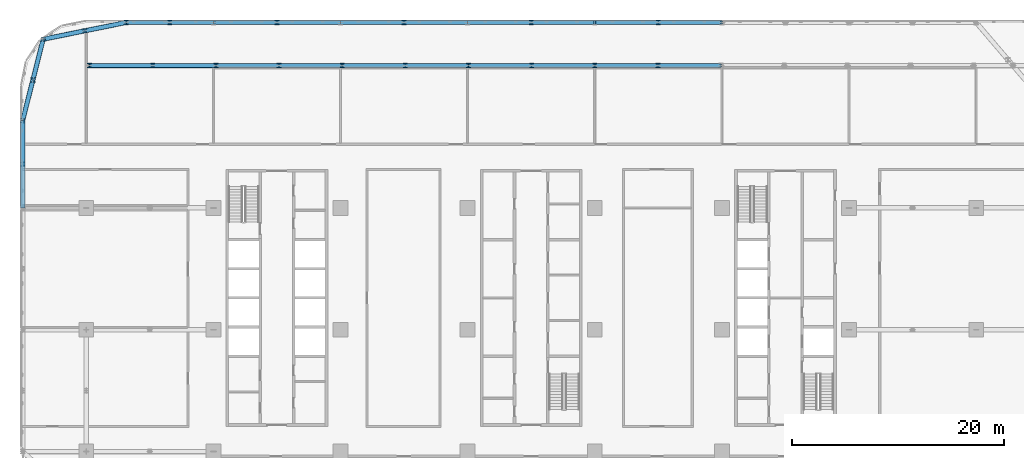
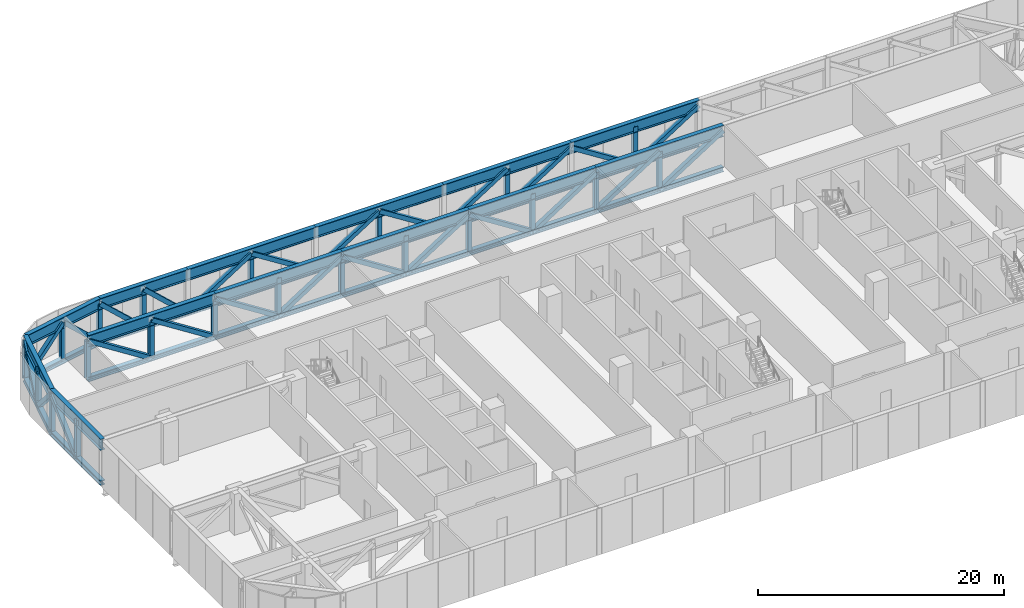
# One storey, part 5 of 26: 72 members.
"""IFC4 building model written with IfcOpenShell, lengths in metres."""

from ifc_helpers import new_model, si_unit, direction, frame, origin, origin_2d, place, context, subcontext, project, spatial, hollow_rectangle, i_section, extrude, material, material_profile, profile_set, type_object, element, save


model = new_model("IFC4")

# Units and contexts
model_context = context("Model", 3, precision=1e-05, world=origin(), true_north=direction((0.0, 1.0)))
body_context = subcontext(model_context, "Body", "Model", "MODEL_VIEW")
ifc_project = project(units=[si_unit("LENGTHUNIT", "METRE"), si_unit("AREAUNIT", "SQUARE_METRE"), si_unit("VOLUMEUNIT", "CUBIC_METRE"), si_unit("PLANEANGLEUNIT", "RADIAN"), si_unit("MASSUNIT", "GRAM", prefix="KILO")], contexts=[model_context])

# Site, building, storey
site_placement = place(None, origin())
site = spatial("IfcSite", under=ifc_project, at=site_placement, CompositionType="ELEMENT")
building_placement = place(site_placement, origin())
building = spatial("IfcBuilding", under=site, at=building_placement, Name="Mahtab Terrace Research Tower", CompositionType="ELEMENT")
storey_placement = place(building_placement, frame((0.0, 0.0, 117.60009765625)))
storey = spatial("IfcBuildingStorey", under=building, at=storey_placement, Name="L27", CompositionType="ELEMENT", Elevation=117.60009765625)

# Members
ifc_material_1 = material(Name="Steel ASTM A500 Gr C", Category="steel")
ifc_material_profile_1 = material_profile(ifc_material_1, hollow_rectangle(XDim=0.406494140625, YDim=0.406494140625, WallThickness=0.015869140625, at=origin_2d()), Name="HSS16X16X5/8")
ifc_profile_set_1 = profile_set([ifc_material_profile_1], Name="Steel ASTM A500 Gr C")
member_type_1 = type_object("IfcMemberType", Name="HSS 16x16x5/8 brace TD161658", PredefinedType="BRACE", material=ifc_profile_set_1)
member_1_placement = place(storey_placement, frame((-48.0, 15.615966796875, -0.308837890625), z_axis=(0.0, 0.733771123457, 0.679396745931), x_axis=(-1.0, 0.0, 0.0)))
element("IfcMember", 1, at=member_1_placement, inside=storey, type_object=member_type_1, Name="Transfer truss T3 diagonal 010", PredefinedType="BRACE", context=body_context, shape_type="SweptSolid", body=[
    extrude(hollow_rectangle(XDim=0.406494140625, YDim=0.406494140625, WallThickness=0.015869140625, at=origin_2d()), origin(), (0.0, 0.0, 1.0), 5.60791015625),
])
member_2_placement = place(storey_placement, frame((-47.031005859375, 23.573974609375, -0.308837890625), z_axis=(-0.176255698603, -0.699027702622, 0.693032610833), x_axis=(0.969651347484, -0.244491849194, 0.0)))
element("IfcMember", 2, at=member_2_placement, inside=storey, type_object=member_type_1, Name="Transfer truss T3 diagonal 011", PredefinedType="BRACE", context=body_context, shape_type="SweptSolid", body=[
    extrude(hollow_rectangle(XDim=0.406494140625, YDim=0.406494140625, WallThickness=0.015869140625, at=origin_2d()), origin(), (0.0, 0.0, 1.0), 5.49755859375),
])
member_3_placement = place(storey_placement, frame((-47.031005859375, 23.573974609375, -0.308837890625), z_axis=(0.176277585556, 0.698936851575, 0.693118669739), x_axis=(-0.969636613245, 0.24455027756, 0.0)))
element("IfcMember", 3, at=member_3_placement, inside=storey, type_object=member_type_1, Name="Transfer truss T3 diagonal 012", PredefinedType="BRACE", context=body_context, shape_type="SweptSolid", body=[
    extrude(hollow_rectangle(XDim=0.406494140625, YDim=0.406494140625, WallThickness=0.015869140625, at=origin_2d()), origin(), (0.0, 0.0, 1.0), 5.4970703125),
])
member_4_placement = place(storey_placement, frame((-46.06201171875, 27.416015625, -0.308837890625), z_axis=(0.709235395563, 0.143474658469, 0.690217484607), x_axis=(-0.198278421898, 0.980145737842, 0.0)))
element("IfcMember", 4, at=member_4_placement, inside=storey, type_object=member_type_1, Name="Transfer truss T3 diagonal 014", PredefinedType="BRACE", context=body_context, shape_type="SweptSolid", body=[
    extrude(hollow_rectangle(XDim=0.406494140625, YDim=0.406494140625, WallThickness=0.015869140625, at=origin_2d()), origin(), (0.0, 0.0, 1.0), 5.52001953125),
])
member_5_placement = place(storey_placement, frame((-35.721923828125, 24.927001953125, -0.308837890625), z_axis=(-0.842548339198, 0.0, 0.538620734947), x_axis=(0.0, -1.0, 0.0)))
element("IfcMember", 5, at=member_5_placement, inside=storey, type_object=member_type_1, Name="Transfer truss T3 diagonal 022", PredefinedType="BRACE", context=body_context, shape_type="SweptSolid", body=[
    extrude(hollow_rectangle(XDim=0.406494140625, YDim=0.406494140625, WallThickness=0.015869140625, at=origin_2d()), origin(), (0.0, 0.0, 1.0), 7.07373046875),
])
member_6_placement = place(storey_placement, frame((-38.23095703125, 29.0, -0.308837890625), z_axis=(-0.709323301059, -0.143456657646, 0.690130887551), x_axis=(0.198230919145, -0.980155346205, 0.0)))
element("IfcMember", 6, at=member_6_placement, inside=storey, type_object=member_type_1, Name="Transfer truss T3 diagonal 023", PredefinedType="BRACE", context=body_context, shape_type="SweptSolid", body=[
    extrude(hollow_rectangle(XDim=0.406494140625, YDim=0.406494140625, WallThickness=0.015869140625, at=origin_2d()), origin(), (0.0, 0.0, 1.0), 5.520751953125),
])
member_7_placement = place(storey_placement, frame((-29.761962890625, 24.927001953125, -0.308837890625), z_axis=(-0.842548339198, 0.0, 0.538620734947), x_axis=(0.0, -1.0, 0.0)))
element("IfcMember", 7, at=member_7_placement, inside=storey, type_object=member_type_1, Name="Transfer truss T3 diagonal 028", PredefinedType="BRACE", context=body_context, shape_type="SweptSolid", body=[
    extrude(hollow_rectangle(XDim=0.406494140625, YDim=0.406494140625, WallThickness=0.015869140625, at=origin_2d()), origin(), (0.0, 0.0, 1.0), 7.07373046875),
])
member_8_placement = place(storey_placement, frame((-34.114990234375, 29.0, -0.308837890625), z_axis=(-0.733851486345, 0.0, 0.679309941035), x_axis=(0.0, -1.0, 0.0)))
element("IfcMember", 8, at=member_8_placement, inside=storey, type_object=member_type_1, Name="Transfer truss T3 diagonal 029", PredefinedType="BRACE", context=body_context, shape_type="SweptSolid", body=[
    extrude(hollow_rectangle(XDim=0.406494140625, YDim=0.406494140625, WallThickness=0.015869140625, at=origin_2d()), origin(), (0.0, 0.0, 1.0), 5.608642578125),
])
member_9_placement = place(storey_placement, frame((-30.0, 29.0, -0.308837890625), z_axis=(-0.733771123457, 0.0, 0.679396745931), x_axis=(0.0, -1.0, 0.0)))
element("IfcMember", 9, at=member_9_placement, inside=storey, type_object=member_type_1, Name="Transfer truss T3 diagonal 031", PredefinedType="BRACE", context=body_context, shape_type="SweptSolid", body=[
    extrude(hollow_rectangle(XDim=0.406494140625, YDim=0.406494140625, WallThickness=0.015869140625, at=origin_2d()), origin(), (0.0, 0.0, 1.0), 5.60791015625),
])
member_10_placement = place(storey_placement, frame((-23.801025390625, 24.927001953125, -0.308837890625), z_axis=(-0.842588383601, 0.0, 0.538558089551), x_axis=(0.0, -1.0, 0.0)))
element("IfcMember", 10, at=member_10_placement, inside=storey, type_object=member_type_1, Name="Transfer truss T3 diagonal 032", PredefinedType="BRACE", context=body_context, shape_type="SweptSolid", body=[
    extrude(hollow_rectangle(XDim=0.406494140625, YDim=0.406494140625, WallThickness=0.015869140625, at=origin_2d()), origin(), (0.0, 0.0, 1.0), 7.074462890625),
])
member_11_placement = place(storey_placement, frame((-30.0, 29.0, -0.308837890625), z_axis=(0.844178766056, 0.0, 0.536061760379), x_axis=(0.0, 1.0, 0.0)))
element("IfcMember", 11, at=member_11_placement, inside=storey, type_object=member_type_1, Name="Transfer truss T3 diagonal 034", PredefinedType="BRACE", context=body_context, shape_type="SweptSolid", body=[
    extrude(hollow_rectangle(XDim=0.406494140625, YDim=0.406494140625, WallThickness=0.015869140625, at=origin_2d()), origin(), (0.0, 0.0, 1.0), 7.107421875),
])
member_12_placement = place(storey_placement, frame((-23.801025390625, 24.927001953125, -0.308837890625), z_axis=(0.842548339198, 0.0, 0.538620734947), x_axis=(0.0, 1.0, 0.0)))
element("IfcMember", 12, at=member_12_placement, inside=storey, type_object=member_type_1, Name="Transfer truss T3 diagonal 035", PredefinedType="BRACE", context=body_context, shape_type="SweptSolid", body=[
    extrude(hollow_rectangle(XDim=0.406494140625, YDim=0.406494140625, WallThickness=0.015869140625, at=origin_2d()), origin(), (0.0, 0.0, 1.0), 7.07373046875),
])
member_13_placement = place(storey_placement, frame((-18.0, 29.0, -0.308837890625), z_axis=(-0.844178766056, 0.0, 0.536061760379), x_axis=(0.0, -1.0, 0.0)))
element("IfcMember", 13, at=member_13_placement, inside=storey, type_object=member_type_1, Name="Transfer truss T3 diagonal 037", PredefinedType="BRACE", context=body_context, shape_type="SweptSolid", body=[
    extrude(hollow_rectangle(XDim=0.406494140625, YDim=0.406494140625, WallThickness=0.015869140625, at=origin_2d()), origin(), (0.0, 0.0, 1.0), 7.107421875),
])
member_14_placement = place(storey_placement, frame((-11.881103515625, 24.927001953125, -0.308837890625), z_axis=(-0.842548339198, 0.0, 0.538620734947), x_axis=(0.0, -1.0, 0.0)))
element("IfcMember", 14, at=member_14_placement, inside=storey, type_object=member_type_1, Name="Transfer truss T3 diagonal 038", PredefinedType="BRACE", context=body_context, shape_type="SweptSolid", body=[
    extrude(hollow_rectangle(XDim=0.406494140625, YDim=0.406494140625, WallThickness=0.015869140625, at=origin_2d()), origin(), (0.0, 0.0, 1.0), 7.07373046875),
])
member_15_placement = place(storey_placement, frame((-18.0, 29.0, -0.308837890625), z_axis=(0.844178766056, 0.0, 0.536061760379), x_axis=(0.0, 1.0, 0.0)))
element("IfcMember", 15, at=member_15_placement, inside=storey, type_object=member_type_1, Name="Transfer truss T3 diagonal 040", PredefinedType="BRACE", context=body_context, shape_type="SweptSolid", body=[
    extrude(hollow_rectangle(XDim=0.406494140625, YDim=0.406494140625, WallThickness=0.015869140625, at=origin_2d()), origin(), (0.0, 0.0, 1.0), 7.107421875),
])
member_16_placement = place(storey_placement, frame((-11.881103515625, 24.927001953125, -0.308837890625), z_axis=(0.842558351609, 0.0, 0.538605072511), x_axis=(0.0, 1.0, 0.0)))
element("IfcMember", 16, at=member_16_placement, inside=storey, type_object=member_type_1, Name="Transfer truss T3 diagonal 041", PredefinedType="BRACE", context=body_context, shape_type="SweptSolid", body=[
    extrude(hollow_rectangle(XDim=0.406494140625, YDim=0.406494140625, WallThickness=0.015869140625, at=origin_2d()), origin(), (0.0, 0.0, 1.0), 7.073974609375),
])
member_17_placement = place(storey_placement, frame((-6.0, 29.0, -0.308837890625), z_axis=(-0.844178766056, 0.0, 0.536061760379), x_axis=(0.0, -1.0, 0.0)))
element("IfcMember", 17, at=member_17_placement, inside=storey, type_object=member_type_1, Name="Transfer truss T3 diagonal 043", PredefinedType="BRACE", context=body_context, shape_type="SweptSolid", body=[
    extrude(hollow_rectangle(XDim=0.406494140625, YDim=0.406494140625, WallThickness=0.015869140625, at=origin_2d()), origin(), (0.0, 0.0, 1.0), 7.107421875),
])
member_18_placement = place(storey_placement, frame((0.0400390625, 24.927001953125, -0.308837890625), z_axis=(-0.842588383601, 0.0, 0.538558089551), x_axis=(0.0, -1.0, 0.0)))
element("IfcMember", 18, at=member_18_placement, inside=storey, type_object=member_type_1, Name="Transfer truss T3 diagonal 044", PredefinedType="BRACE", context=body_context, shape_type="SweptSolid", body=[
    extrude(hollow_rectangle(XDim=0.406494140625, YDim=0.406494140625, WallThickness=0.015869140625, at=origin_2d()), origin(), (0.0, 0.0, 1.0), 7.074462890625),
])
member_19_placement = place(storey_placement, frame((-6.0, 29.0, -0.308837890625), z_axis=(0.844178766056, 0.0, 0.536061760379), x_axis=(0.0, 1.0, 0.0)))
element("IfcMember", 19, at=member_19_placement, inside=storey, type_object=member_type_1, Name="Transfer truss T3 diagonal 046", PredefinedType="BRACE", context=body_context, shape_type="SweptSolid", body=[
    extrude(hollow_rectangle(XDim=0.406494140625, YDim=0.406494140625, WallThickness=0.015869140625, at=origin_2d()), origin(), (0.0, 0.0, 1.0), 7.107421875),
])
for number, where, z_axis, x_axis, name in (
    (20, (0.0400390625, 24.927001953125, -0.308837890625), (0.842548339198, 0.0, 0.538620734947), (0.0, 1.0, 0.0), "Transfer truss T3 diagonal 047"),
    (21, (6.0, 24.927001953125, -0.308837890625), (0.842548339198, 0.0, 0.538620734947), (0.0, 1.0, 0.0), "Transfer truss T3 diagonal 049"),
):
    element("IfcMember", number, at=place(storey_placement, frame(where, z_axis=z_axis, x_axis=x_axis)), inside=storey, type_object=member_type_1, Name=name, PredefinedType="BRACE", context=body_context, shape_type="SweptSolid", body=[
        extrude(hollow_rectangle(XDim=0.406494140625, YDim=0.406494140625, WallThickness=0.015869140625, at=origin_2d()), origin(), (0.0, 0.0, 1.0), 7.07373046875),
    ])
member_20_placement = place(storey_placement, frame((0.0, 29.0, -0.308837890625), z_axis=(0.844178766056, 0.0, 0.536061760379), x_axis=(0.0, 1.0, 0.0)))
element("IfcMember", 22, at=member_20_placement, inside=storey, type_object=member_type_1, Name="Transfer truss T3 diagonal 050", PredefinedType="BRACE", context=body_context, shape_type="SweptSolid", body=[
    extrude(hollow_rectangle(XDim=0.406494140625, YDim=0.406494140625, WallThickness=0.015869140625, at=origin_2d()), origin(), (0.0, 0.0, 1.0), 7.107421875),
])
member_21_placement = place(storey_placement, frame((11.9599609375, 24.927001953125, -0.308837890625), z_axis=(0.842588383601, 0.0, 0.538558089551), x_axis=(0.0, 1.0, 0.0)))
element("IfcMember", 23, at=member_21_placement, inside=storey, type_object=member_type_1, Name="Transfer truss T3 diagonal 051", PredefinedType="BRACE", context=body_context, shape_type="SweptSolid", body=[
    extrude(hollow_rectangle(XDim=0.406494140625, YDim=0.406494140625, WallThickness=0.015869140625, at=origin_2d()), origin(), (0.0, 0.0, 1.0), 7.074462890625),
])
for number, where, z_axis, x_axis, name in (
    (24, (12.0, 29.0, -0.308837890625), (-0.844178766056, 0.0, 0.536061760379), (0.0, -1.0, 0.0), "Transfer truss T3 diagonal 053"),
    (25, (12.0, 29.0, -0.308837890625), (0.844178766056, 0.0, 0.536061760379), (0.0, 1.0, 0.0), "Transfer truss T3 diagonal 056"),
):
    element("IfcMember", number, at=place(storey_placement, frame(where, z_axis=z_axis, x_axis=x_axis)), inside=storey, type_object=member_type_1, Name=name, PredefinedType="BRACE", context=body_context, shape_type="SweptSolid", body=[
        extrude(hollow_rectangle(XDim=0.406494140625, YDim=0.406494140625, WallThickness=0.015869140625, at=origin_2d()), origin(), (0.0, 0.0, 1.0), 7.107421875),
    ])
ifc_material_2 = material(Name="Steel ASTM A992 Gr 50", Category="steel")
ifc_material_profile_2 = material_profile(ifc_material_2, i_section(OverallWidth=0.398681640625, OverallDepth=0.393798828125, WebThickness=0.022705078125, FlangeThickness=0.03662109375, at=origin_2d()), Name="W14X193")
ifc_profile_set_2 = profile_set([ifc_material_profile_2], Name="Steel ASTM A992 Gr 50")
member_type_2 = type_object("IfcMemberType", Name="W14x193 post TP14193", PredefinedType="POST", material=ifc_profile_set_2)
for number, where, z_axis, x_axis, name in (
    (26, (-48.0, 15.6201171875, -0.308837890625), (0.0, 0.0, 1.0), (1.0, 0.0, 0.0), "Transfer truss T3 post 006"),
    (27, (-48.0, 19.72998046875, -0.308837890625), (0.0, 0.0, 1.0), (1.0, 0.0, 0.0), "Transfer truss T3 post 007"),
    (28, (-47.030029296875, 23.570068359375, -0.308837890625), (0.0, 0.0, 1.0), (1.0, 0.0, 0.0), "Transfer truss T3 post 008"),
    (29, (-46.06005859375, 27.419921875, -0.308837890625), (0.0, 0.0, 1.0), (1.0, 0.0, 0.0), "Transfer truss T3 post 009"),
    (30, (-42.14990234375, 28.2099609375, -0.308837890625), (0.0, 0.0, 1.0), (1.0, 0.0, 0.0), "Transfer truss T3 post 011"),
    (31, (-41.679931640625, 24.929931640625, -0.308837890625), (0.0, 0.0, 1.0), (1.0, 0.0, 0.0), "Transfer truss T3 post 017"),
    (32, (-38.22998046875, 29.0, -0.308837890625), (0.0, 0.0, 1.0), (1.0, 0.0, 0.0), "Transfer truss T3 post 018"),
    (33, (-35.719970703125, 24.929931640625, -0.308837890625), (0.0, 0.0, 1.0), (1.0, 0.0, 0.0), "Transfer truss T3 post 023"),
    (34, (-34.1201171875, 29.0, -0.308837890625), (0.0, 0.0, 1.0), (1.0, 0.0, 0.0), "Transfer truss T3 post 024"),
    (35, (-29.760009765625, 24.929931640625, -0.308837890625), (0.0, 0.0, 1.0), (1.0, 0.0, 0.0), "Transfer truss T3 post 030"),
    (36, (-24.0, 29.0, -0.308837890625), (0.0, 0.0, 1.0), (1.0, 0.0, 0.0), "Transfer truss T3 post 032"),
    (37, (-23.800048828125, 24.929931640625, -0.308837890625), (0.0, 0.0, 1.0), (1.0, 0.0, 0.0), "Transfer truss T3 post 033"),
    (38, (-17.840087890625, 24.929931640625, -0.308837890625), (0.0, 0.0, 1.0), (1.0, 0.0, 0.0), "Transfer truss T3 post 036"),
    (39, (-12.0, 29.0, -0.308837890625), (0.0, 0.0, 1.0), (1.0, 0.0, 0.0), "Transfer truss T3 post 038"),
    (40, (-11.8798828125, 24.929931640625, -0.308837890625), (0.0, 0.0, 1.0), (1.0, 0.0, 0.0), "Transfer truss T3 post 039"),
    (41, (-5.919921875, 24.929931640625, -0.308837890625), (0.0, 0.0, 1.0), (1.0, 0.0, 0.0), "Transfer truss T3 post 042"),
    (42, (0.0, 29.0, -0.308837890625), (0.0, 0.0, 1.0), (1.0, 0.0, 0.0), "Transfer truss T3 post 044"),
    (43, (0.0400390625, 24.929931640625, -0.308837890625), (0.0, 0.0, 1.0), (1.0, 0.0, 0.0), "Transfer truss T3 post 045"),
    (44, (6.0, 24.929931640625, -0.308837890625), (0.0, 0.0, 1.0), (1.0, 0.0, 0.0), "Transfer truss T3 post 047"),
    (45, (11.9599609375, 24.929931640625, -0.308837890625), (0.0, 0.0, 1.0), (1.0, 0.0, 0.0), "Transfer truss T3 post 049"),
    (46, (12.0, 29.0, -0.308837890625), (0.0, 0.0, 1.0), (1.0, 0.0, 0.0), "Transfer truss T3 post 051"),
):
    element("IfcMember", number, at=place(storey_placement, frame(where, z_axis=z_axis, x_axis=x_axis)), inside=storey, type_object=member_type_2, Name=name, PredefinedType="POST", context=body_context, shape_type="SweptSolid", body=[
        extrude(i_section(OverallWidth=0.398681640625, OverallDepth=0.393798828125, WebThickness=0.022705078125, FlangeThickness=0.03662109375, at=origin_2d()), origin(), (0.0, 0.0, 1.0), 3.81005859375),
    ])
ifc_material_profile_3 = material_profile(ifc_material_2, i_section(OverallWidth=0.4267578125, OverallDepth=0.482666015625, WebThickness=0.05126953125, FlangeThickness=0.08154296875, at=origin_2d()), Name="W14X455")
ifc_profile_set_3 = profile_set([ifc_material_profile_3], Name="Steel ASTM A992 Gr 50")
member_type_3 = type_object("IfcMemberType", Name="W14x455 chord TC14455", PredefinedType="CHORD", material=ifc_profile_set_3)
member_22_placement = place(storey_placement, frame((-48.0, 19.73095703125, -0.308837890625), z_axis=(0.0, -1.0, 0.0), x_axis=(1.0, 0.0, 0.0)))
element("IfcMember", 47, at=member_22_placement, inside=storey, type_object=member_type_3, Name="Transfer truss T3 bottom chord 004", PredefinedType="CHORD", context=body_context, shape_type="SweptSolid", body=[
    extrude(i_section(OverallWidth=0.4267578125, OverallDepth=0.482666015625, WebThickness=0.05126953125, FlangeThickness=0.08154296875, at=origin_2d()), origin(), (0.0, 0.0, 1.0), 8.23095703125),
])
member_23_placement = place(storey_placement, frame((-46.06201171875, 27.416015625, -0.308837890625), z_axis=(-0.244521059998, -0.969643981685, 0.0), x_axis=(0.969643981685, -0.244521059998, 0.0)))
element("IfcMember", 48, at=member_23_placement, inside=storey, type_object=member_type_3, Name="Transfer truss T3 bottom chord 011", PredefinedType="CHORD", context=body_context, shape_type="SweptSolid", body=[
    extrude(i_section(OverallWidth=0.4267578125, OverallDepth=0.482666015625, WebThickness=0.05126953125, FlangeThickness=0.08154296875, at=origin_2d()), origin(), (0.0, 0.0, 1.0), 7.925537109375),
])
member_24_placement = place(storey_placement, frame((-38.23095703125, 29.0, -0.308837890625), z_axis=(-0.980150542887, -0.198254667734, 0.0), x_axis=(0.198254667734, -0.980150542887, 0.0)))
element("IfcMember", 49, at=member_24_placement, inside=storey, type_object=member_type_3, Name="Transfer truss T3 bottom chord 012", PredefinedType="CHORD", context=body_context, shape_type="SweptSolid", body=[
    extrude(i_section(OverallWidth=0.4267578125, OverallDepth=0.482666015625, WebThickness=0.05126953125, FlangeThickness=0.08154296875, at=origin_2d()), origin(), (0.0, 0.0, 1.0), 7.98974609375),
])
member_25_placement = place(storey_placement, frame((-41.681884765625, 24.927001953125, -0.308837890625), z_axis=(1.0, 0.0, 0.0), x_axis=(0.0, 1.0, 0.0)))
element("IfcMember", 50, at=member_25_placement, inside=storey, type_object=member_type_3, Name="Transfer truss T3 bottom chord 022", PredefinedType="CHORD", context=body_context, shape_type="SweptSolid", body=[
    extrude(i_section(OverallWidth=0.4267578125, OverallDepth=0.482666015625, WebThickness=0.05126953125, FlangeThickness=0.08154296875, at=origin_2d()), origin(), (0.0, 0.0, 1.0), 11.919921875),
])
member_26_placement = place(storey_placement, frame((-29.761962890625, 24.927001953125, -0.308837890625), z_axis=(1.0, 0.0, 0.0), x_axis=(0.0, 1.0, 0.0)))
element("IfcMember", 51, at=member_26_placement, inside=storey, type_object=member_type_3, Name="Transfer truss T3 bottom chord 023", PredefinedType="CHORD", context=body_context, shape_type="SweptSolid", body=[
    extrude(i_section(OverallWidth=0.4267578125, OverallDepth=0.482666015625, WebThickness=0.05126953125, FlangeThickness=0.08154296875, at=origin_2d()), origin(), (0.0, 0.0, 1.0), 11.9208984375),
])
member_27_placement = place(storey_placement, frame((-17.841064453125, 24.927001953125, -0.308837890625), z_axis=(1.0, 0.0, 0.0), x_axis=(0.0, 1.0, 0.0)))
element("IfcMember", 52, at=member_27_placement, inside=storey, type_object=member_type_3, Name="Transfer truss T3 bottom chord 024", PredefinedType="CHORD", context=body_context, shape_type="SweptSolid", body=[
    extrude(i_section(OverallWidth=0.4267578125, OverallDepth=0.482666015625, WebThickness=0.05126953125, FlangeThickness=0.08154296875, at=origin_2d()), origin(), (0.0, 0.0, 1.0), 11.920166015625),
])
for number, where, z_axis, x_axis, name in (
    (53, (-5.9208984375, 24.927001953125, -0.308837890625), (1.0, 0.0, 0.0), (0.0, 1.0, 0.0), "Transfer truss T3 bottom chord 025"),
    (54, (6.0, 24.927001953125, -0.308837890625), (1.0, 0.0, 0.0), (0.0, 1.0, 0.0), "Transfer truss T3 bottom chord 026"),
):
    element("IfcMember", number, at=place(storey_placement, frame(where, z_axis=z_axis, x_axis=x_axis)), inside=storey, type_object=member_type_3, Name=name, PredefinedType="CHORD", context=body_context, shape_type="SweptSolid", body=[
        extrude(i_section(OverallWidth=0.4267578125, OverallDepth=0.482666015625, WebThickness=0.05126953125, FlangeThickness=0.08154296875, at=origin_2d()), origin(), (0.0, 0.0, 1.0), 11.9208984375),
    ])
for number, where, z_axis, x_axis, name in (
    (55, (18.0, 29.0, -0.308837890625), (-1.0, 0.0, 0.0), (0.0, -1.0, 0.0), "Transfer truss T3 bottom chord 032"),
    (56, (6.0, 29.0, -0.308837890625), (-1.0, 0.0, 0.0), (0.0, -1.0, 0.0), "Transfer truss T3 bottom chord 033"),
    (57, (-6.0, 29.0, -0.308837890625), (-1.0, 0.0, 0.0), (0.0, -1.0, 0.0), "Transfer truss T3 bottom chord 034"),
    (58, (-18.0, 29.0, -0.308837890625), (-1.0, 0.0, 0.0), (0.0, -1.0, 0.0), "Transfer truss T3 bottom chord 035"),
):
    element("IfcMember", number, at=place(storey_placement, frame(where, z_axis=z_axis, x_axis=x_axis)), inside=storey, type_object=member_type_3, Name=name, PredefinedType="CHORD", context=body_context, shape_type="SweptSolid", body=[
        extrude(i_section(OverallWidth=0.4267578125, OverallDepth=0.482666015625, WebThickness=0.05126953125, FlangeThickness=0.08154296875, at=origin_2d()), origin(), (0.0, 0.0, 1.0), 12.0),
    ])
member_28_placement = place(storey_placement, frame((-30.0, 29.0, -0.308837890625), z_axis=(-1.0, 0.0, 0.0), x_axis=(0.0, -1.0, 0.0)))
element("IfcMember", 59, at=member_28_placement, inside=storey, type_object=member_type_3, Name="Transfer truss T3 bottom chord 036", PredefinedType="CHORD", context=body_context, shape_type="SweptSolid", body=[
    extrude(i_section(OverallWidth=0.4267578125, OverallDepth=0.482666015625, WebThickness=0.05126953125, FlangeThickness=0.08154296875, at=origin_2d()), origin(), (0.0, 0.0, 1.0), 8.23095703125),
])
ifc_material_profile_4 = material_profile(ifc_material_2, i_section(OverallWidth=0.40380859375, OverallDepth=1.11767578125, WebThickness=0.026123046875, FlangeThickness=0.044921875, at=origin_2d()), Name="W44X335")
ifc_profile_set_4 = profile_set([ifc_material_profile_4], Name="Steel ASTM A992 Gr 50")
member_type_4 = type_object("IfcMemberType", Name="W44x335 chord TT44335", PredefinedType="CHORD", material=ifc_profile_set_4)
member_29_placement = place(storey_placement, frame((-48.0, 19.73095703125, 3.501220703125), z_axis=(0.0, -1.0, 0.0), x_axis=(1.0, 0.0, 0.0)))
element("IfcMember", 60, at=member_29_placement, inside=storey, type_object=member_type_4, Name="Transfer truss T3 top chord 004", PredefinedType="CHORD", context=body_context, shape_type="SweptSolid", body=[
    extrude(i_section(OverallWidth=0.40380859375, OverallDepth=1.11767578125, WebThickness=0.026123046875, FlangeThickness=0.044921875, at=origin_2d()), origin(), (0.0, 0.0, 1.0), 8.23095703125),
])
member_30_placement = place(storey_placement, frame((-46.06201171875, 27.416015625, 3.501220703125), z_axis=(-0.244521059998, -0.969643981685, 0.0), x_axis=(0.969643981685, -0.244521059998, 0.0)))
element("IfcMember", 61, at=member_30_placement, inside=storey, type_object=member_type_4, Name="Transfer truss T3 top chord 011", PredefinedType="CHORD", context=body_context, shape_type="SweptSolid", body=[
    extrude(i_section(OverallWidth=0.40380859375, OverallDepth=1.11767578125, WebThickness=0.026123046875, FlangeThickness=0.044921875, at=origin_2d()), origin(), (0.0, 0.0, 1.0), 7.925537109375),
])
member_31_placement = place(storey_placement, frame((-38.23095703125, 29.0, 3.501220703125), z_axis=(-0.980150542887, -0.198254667734, 0.0), x_axis=(0.198254667734, -0.980150542887, 0.0)))
element("IfcMember", 62, at=member_31_placement, inside=storey, type_object=member_type_4, Name="Transfer truss T3 top chord 012", PredefinedType="CHORD", context=body_context, shape_type="SweptSolid", body=[
    extrude(i_section(OverallWidth=0.40380859375, OverallDepth=1.11767578125, WebThickness=0.026123046875, FlangeThickness=0.044921875, at=origin_2d()), origin(), (0.0, 0.0, 1.0), 7.98974609375),
])
member_32_placement = place(storey_placement, frame((-41.681884765625, 24.927001953125, 3.501220703125), z_axis=(1.0, 0.0, 0.0), x_axis=(0.0, 1.0, 0.0)))
element("IfcMember", 63, at=member_32_placement, inside=storey, type_object=member_type_4, Name="Transfer truss T3 top chord 022", PredefinedType="CHORD", context=body_context, shape_type="SweptSolid", body=[
    extrude(i_section(OverallWidth=0.40380859375, OverallDepth=1.11767578125, WebThickness=0.026123046875, FlangeThickness=0.044921875, at=origin_2d()), origin(), (0.0, 0.0, 1.0), 11.919921875),
])
member_33_placement = place(storey_placement, frame((-29.761962890625, 24.927001953125, 3.501220703125), z_axis=(1.0, 0.0, 0.0), x_axis=(0.0, 1.0, 0.0)))
element("IfcMember", 64, at=member_33_placement, inside=storey, type_object=member_type_4, Name="Transfer truss T3 top chord 023", PredefinedType="CHORD", context=body_context, shape_type="SweptSolid", body=[
    extrude(i_section(OverallWidth=0.40380859375, OverallDepth=1.11767578125, WebThickness=0.026123046875, FlangeThickness=0.044921875, at=origin_2d()), origin(), (0.0, 0.0, 1.0), 11.9208984375),
])
member_34_placement = place(storey_placement, frame((-17.841064453125, 24.927001953125, 3.501220703125), z_axis=(1.0, 0.0, 0.0), x_axis=(0.0, 1.0, 0.0)))
element("IfcMember", 65, at=member_34_placement, inside=storey, type_object=member_type_4, Name="Transfer truss T3 top chord 024", PredefinedType="CHORD", context=body_context, shape_type="SweptSolid", body=[
    extrude(i_section(OverallWidth=0.40380859375, OverallDepth=1.11767578125, WebThickness=0.026123046875, FlangeThickness=0.044921875, at=origin_2d()), origin(), (0.0, 0.0, 1.0), 11.920166015625),
])
for number, where, z_axis, x_axis, name in (
    (66, (-5.9208984375, 24.927001953125, 3.501220703125), (1.0, 0.0, 0.0), (0.0, 1.0, 0.0), "Transfer truss T3 top chord 025"),
    (67, (6.0, 24.927001953125, 3.501220703125), (1.0, 0.0, 0.0), (0.0, 1.0, 0.0), "Transfer truss T3 top chord 026"),
):
    element("IfcMember", number, at=place(storey_placement, frame(where, z_axis=z_axis, x_axis=x_axis)), inside=storey, type_object=member_type_4, Name=name, PredefinedType="CHORD", context=body_context, shape_type="SweptSolid", body=[
        extrude(i_section(OverallWidth=0.40380859375, OverallDepth=1.11767578125, WebThickness=0.026123046875, FlangeThickness=0.044921875, at=origin_2d()), origin(), (0.0, 0.0, 1.0), 11.9208984375),
    ])
for number, where, z_axis, x_axis, name in (
    (68, (18.0, 29.0, 3.501220703125), (-1.0, 0.0, 0.0), (0.0, -1.0, 0.0), "Transfer truss T3 top chord 032"),
    (69, (6.0, 29.0, 3.501220703125), (-1.0, 0.0, 0.0), (0.0, -1.0, 0.0), "Transfer truss T3 top chord 033"),
    (70, (-6.0, 29.0, 3.501220703125), (-1.0, 0.0, 0.0), (0.0, -1.0, 0.0), "Transfer truss T3 top chord 034"),
    (71, (-18.0, 29.0, 3.501220703125), (-1.0, 0.0, 0.0), (0.0, -1.0, 0.0), "Transfer truss T3 top chord 035"),
):
    element("IfcMember", number, at=place(storey_placement, frame(where, z_axis=z_axis, x_axis=x_axis)), inside=storey, type_object=member_type_4, Name=name, PredefinedType="CHORD", context=body_context, shape_type="SweptSolid", body=[
        extrude(i_section(OverallWidth=0.40380859375, OverallDepth=1.11767578125, WebThickness=0.026123046875, FlangeThickness=0.044921875, at=origin_2d()), origin(), (0.0, 0.0, 1.0), 12.0),
    ])
member_35_placement = place(storey_placement, frame((-30.0, 29.0, 3.501220703125), z_axis=(-1.0, 0.0, 0.0), x_axis=(0.0, -1.0, 0.0)))
element("IfcMember", 72, at=member_35_placement, inside=storey, type_object=member_type_4, Name="Transfer truss T3 top chord 036", PredefinedType="CHORD", context=body_context, shape_type="SweptSolid", body=[
    extrude(i_section(OverallWidth=0.40380859375, OverallDepth=1.11767578125, WebThickness=0.026123046875, FlangeThickness=0.044921875, at=origin_2d()), origin(), (0.0, 0.0, 1.0), 8.23095703125),
])

save(model, "model.ifc")
